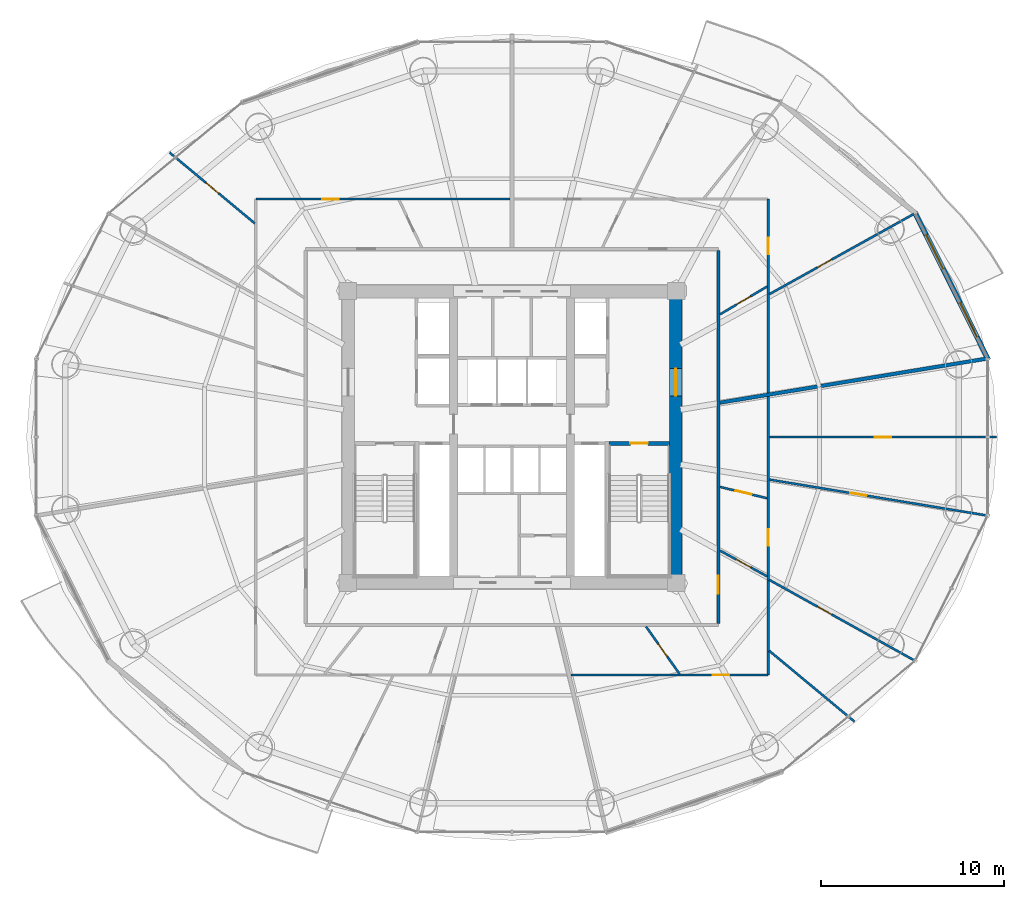
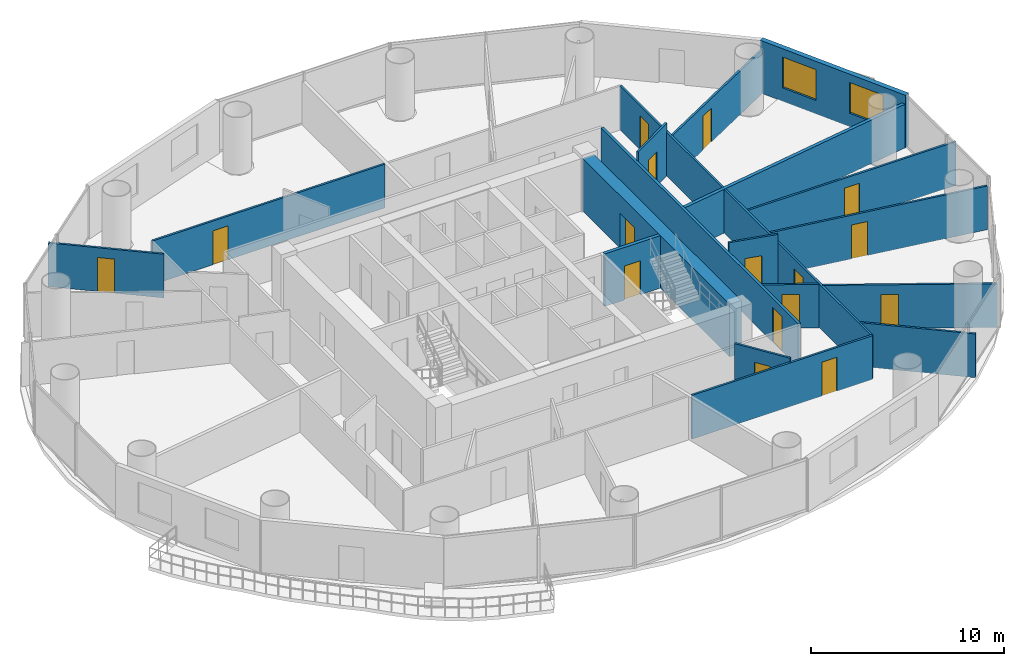
# One storey, part 24 of 29: 19 walls, 16 doors, 2 windows, 18 openings.
"""IFC4 building model written with IfcOpenShell, lengths in metres."""

from ifc_helpers import new_model, si_unit, direction, frame, frame_2d, origin, place, context, subcontext, project, spatial, rectangle, extrude, source, transform, mapped, material, layer, layer_set, type_object, element, fill, save


model = new_model("IFC4")

# Units and contexts
model_context = context("Model", 3, precision=1e-05, world=origin(), true_north=direction((-0.2419218956, 0.970295726276)))
body_context = subcontext(model_context, "Body", "Model", "MODEL_VIEW")
ifc_project = project(units=[si_unit("LENGTHUNIT", "METRE"), si_unit("AREAUNIT", "SQUARE_METRE"), si_unit("VOLUMEUNIT", "CUBIC_METRE"), si_unit("PLANEANGLEUNIT", "RADIAN"), si_unit("MASSUNIT", "GRAM", prefix="KILO")], contexts=[model_context])

# Site, building, storey
site_placement = place(None, origin())
site = spatial("IfcSite", under=ifc_project, at=site_placement, CompositionType="ELEMENT")
building_placement = place(site_placement, origin())
building = spatial("IfcBuilding", under=site, at=building_placement, Name="Cobrevalo Terracotta Tower", CompositionType="ELEMENT")
storey_placement = place(building_placement, frame((0.0, 0.0, 87.0)))
storey = spatial("IfcBuildingStorey", under=building, at=storey_placement, Name="L22", CompositionType="ELEMENT", Elevation=87.0)

# Wall, opening, door
ifc_material_1 = material(Name="Concrete C60", Category="concrete")
ifc_layer_1 = layer(ifc_material_1, 0.699951171875)
ifc_layer_set_1 = layer_set([ifc_layer_1], Name="Concrete C60")
wall_type_1 = type_object("IfcWallType", Name="Core shear wall 700 mm Concrete C60", PredefinedType="SHEAR", material=ifc_layer_set_1)
wall_1_placement = place(storey_placement, frame((46.97509765625, 19.175048828125, 0.0), z_axis=(0.0, 0.0, 1.0), x_axis=(0.0, 1.0, 0.0)))
wall_1 = element("IfcWall", 1, at=wall_1_placement, inside=storey, type_object=wall_type_1, Name="L22 east core shear wall", PredefinedType="SHEAR", context=body_context, shape_type="SweptSolid", body=[
    extrude(rectangle(XDim=15.25, YDim=0.699951171875, at=frame_2d((7.625, 0.0))), origin(), (0.0, 0.0, 1.0), 3.324951171875),
])
opening_1_placement = place(wall_1_placement, frame((9.875, 0.0, 0.0)))
opening_1 = element("IfcOpeningElement", 2, at=opening_1_placement, cuts=wall_1, Name="Opening ID-14", PredefinedType="OPENING", context=body_context, shape_type="SweptSolid", body=[
    extrude(rectangle(XDim=1.5, YDim=2.199951171875, at=frame_2d((0.75, 1.10009765625))), frame((0.0, 0.35986328125, 0.0), z_axis=(0.0, -1.0, 0.0), x_axis=(1.0, 0.0, 0.0)), (0.0, 0.0, 1.0), 0.719970703125),
])
ifc_material_2 = material(Name="Galvanized fire-rated steel", Category="steel")
door_type_1 = type_object("IfcDoorType", Name="Core cross-lobby double fire door 1500x2200 EI 90", OperationType="NOTDEFINED", PredefinedType="DOOR", material=ifc_material_2)
shared_shape_1 = source(origin(), body_context, "Body", "SweptSolid", [
    extrude(rectangle(XDim=1.5, YDim=2.199951171875, at=frame_2d((0.75, 1.10009765625))), frame((0.0, 0.02490234375, 0.0), z_axis=(0.0, -1.0, 0.0), x_axis=(1.0, 0.0, 0.0)), (0.0, 0.0, 1.0), 0.050048828125),
])
door_1_placement = place(opening_1_placement, frame((1.5, 0.0, 0.0), z_axis=(0.0, 0.0, 1.0), x_axis=(-1.0, 0.0, 0.0)))
door_1 = element("IfcDoor", 3, at=door_1_placement, inside=storey, type_object=door_type_1, Name="L22 east firefighting lobby entrance door", OperationType="DOUBLE_DOOR_SINGLE_SWING", OverallHeight=2.199951171875, OverallWidth=1.5, PredefinedType="DOOR", context=body_context, shape_type="MappedRepresentation", body=[
    mapped(shared_shape_1, transform((0.0, 0.0, 0.0), scale=1.0)),
])
fill(opening_1, door_1)

ifc_material_3 = material(Name="Gypsum board on steel stud", Category="steel")
ifc_layer_2 = layer(ifc_material_3, 0.159912109375)
ifc_layer_set_2 = layer_set([ifc_layer_2], Name="Gypsum board on steel stud")
wall_type_2 = type_object("IfcWallType", Name="Fire-rated corridor acoustic partition wall 160 mm", PredefinedType="PARTITIONING", material=ifc_layer_set_2)
wall_2_placement = place(storey_placement, frame((49.304931640625, 16.574951171875, 0.0), z_axis=(0.0, 0.0, 1.0), x_axis=(0.0, 1.0, 0.0)))
wall_2 = element("IfcWall", 4, at=wall_2_placement, inside=storey, type_object=wall_type_2, Name="L22 interior partition IW-L22-COR-E", PredefinedType="PARTITIONING", context=body_context, shape_type="SweptSolid", body=[
    extrude(rectangle(XDim=20.449951171875, YDim=0.159912109375, at=frame_2d((10.22509765625, 0.0))), origin(), (0.0, 0.0, 1.0), 2.76708984375),
])
opening_2_placement = place(wall_2_placement, frame((1.64892578125, 0.0, 0.0)))
opening_2 = element("IfcOpeningElement", 5, at=opening_2_placement, cuts=wall_2, Name="Opening ID-05", PredefinedType="OPENING", context=body_context, shape_type="SweptSolid", body=[
    extrude(rectangle(XDim=0.97998046875, YDim=2.199951171875, at=frame_2d((0.489990234375, 1.10009765625))), frame((0.0, 0.08984375, 0.0), z_axis=(0.0, -1.0, 0.0), x_axis=(1.0, 0.0, 0.0)), (0.0, 0.0, 1.0), 0.179931640625),
])
ifc_material_4 = material(Name="Solid hardwood timber", Category="wood")
door_type_2 = type_object("IfcDoorType", Name="Residence entrance fire-rated acoustic timber door 980x2200 EI 60", OperationType="NOTDEFINED", PredefinedType="DOOR", material=ifc_material_4)
shared_shape_2 = source(origin(), body_context, "Body", "SweptSolid", [
    extrude(rectangle(XDim=0.97998046875, YDim=2.199951171875, at=frame_2d((0.489990234375, 1.10009765625))), frame((0.0, 0.02490234375, 0.0), z_axis=(0.0, -1.0, 0.0), x_axis=(1.0, 0.0, 0.0)), (0.0, 0.0, 1.0), 0.050048828125),
])
door_2_placement = place(opening_2_placement, frame((0.97998046875, 0.0, 0.0), z_axis=(0.0, 0.0, 1.0), x_axis=(-1.0, 0.0, 0.0)))
door_2 = element("IfcDoor", 6, at=door_2_placement, inside=storey, type_object=door_type_2, Name="Flat L22D fire-rated apartment entrance door", OperationType="SINGLE_SWING_RIGHT", OverallHeight=2.199951171875, OverallWidth=0.97998046875, PredefinedType="DOOR", context=body_context, shape_type="MappedRepresentation", body=[
    mapped(shared_shape_2, transform((0.0, 0.0, 0.0), scale=1.0)),
])
fill(opening_2, door_2)

# Wall
ifc_material_5 = material(Name="Autoclaved aerated concrete block", Category="concrete")
ifc_layer_3 = layer(ifc_material_5, 0.199951171875)
ifc_layer_set_3 = layer_set([ifc_layer_3], Name="Autoclaved aerated concrete block")
wall_type_3 = type_object("IfcWallType", Name="Fire-rated stair, shaft & demising masonry wall 200 mm", PredefinedType="PARTITIONING", material=ifc_layer_set_3)
wall_3_placement = place(storey_placement, frame((49.386962890625, 28.681884765625, 0.0), z_axis=(0.0, 0.0, 1.0), x_axis=(0.986617934215, 0.163049231479, 0.0)))
element("IfcWall", 7, at=wall_3_placement, inside=storey, type_object=wall_type_3, Name="L22 interior partition IW-L22-DEM-1", PredefinedType="PARTITIONING", context=body_context, shape_type="SweptSolid", body=[
    extrude(rectangle(XDim=14.78466796875, YDim=0.199951171875, at=frame_2d((7.392333984375, 0.0))), origin(), (0.0, 0.0, 1.0), 2.76708984375),
])

# Wall, openings, windows
ifc_layer_4 = layer(ifc_material_5, 0.280029296875)
ifc_layer_set_4 = layer_set([ifc_layer_4], Name="Autoclaved aerated concrete block")
wall_type_4 = type_object("IfcWallType", Name="Insulated tower spandrel & pier wall 280 mm with terracotta rainscreen", PredefinedType="SOLIDWALL", material=ifc_layer_set_4)
wall_4_placement = place(storey_placement, frame((64.09521484375, 31.033935546875, 0.0), z_axis=(0.0, 0.0, 1.0), x_axis=(-0.446263788661, 0.894901464369, 0.0)))
wall_4 = element("IfcWall", 8, at=wall_4_placement, inside=storey, type_object=wall_type_4, Name="L22 terracotta rainscreen pier wall S01", PredefinedType="SOLIDWALL", context=body_context, shape_type="SweptSolid", body=[
    extrude(rectangle(XDim=9.05029296875, YDim=0.280029296875, at=frame_2d((4.525146484375, 0.0))), origin(), (0.0, 0.0, 1.0), 3.324951171875),
])
opening_3_placement = place(wall_4_placement, frame((1.3935546875, 0.0, 0.85009765625)))
opening_3 = element("IfcOpeningElement", 9, at=opening_3_placement, cuts=wall_4, Name="Opening WN-10", PredefinedType="OPENING", context=body_context, shape_type="SweptSolid", body=[
    extrude(rectangle(XDim=2.10009765625, YDim=1.949951171875, at=frame_2d((1.050048828125, 0.97509765625))), frame((0.0, 0.14990234375, 0.0), z_axis=(0.0, -1.0, 0.0), x_axis=(1.0, 0.0, 0.0)), (0.0, 0.0, 1.0), 0.300048828125),
])
opening_4_placement = place(wall_4_placement, frame((5.556640625, 0.0, 0.85009765625)))
opening_4 = element("IfcOpeningElement", 10, at=opening_4_placement, cuts=wall_4, Name="Opening WN-10", PredefinedType="OPENING", context=body_context, shape_type="SweptSolid", body=[
    extrude(rectangle(XDim=2.10009765625, YDim=1.949951171875, at=frame_2d((1.050048828125, 0.97509765625))), frame((0.0, 0.14990234375, 0.0), z_axis=(0.0, -1.0, 0.0), x_axis=(1.0, 0.0, 0.0)), (0.0, 0.0, 1.0), 0.300048828125),
])
ifc_material_6 = material(Name="Solar-control low-E double glazing", Category="glass")
window_type = type_object("IfcWindowType", Name="Wide panoramic low-E aluminium window 2100x1950", PartitioningType="SINGLE_PANEL", PredefinedType="WINDOW", material=ifc_material_6)
shared_shape_3 = source(origin(), body_context, "Body", "SweptSolid", [
    extrude(rectangle(XDim=2.10009765625, YDim=1.949951171875, at=frame_2d((1.050048828125, 0.97509765625))), frame((0.0, 0.030029296875, 0.0), z_axis=(0.0, -1.0, 0.0), x_axis=(1.0, 0.0, 0.0)), (0.0, 0.0, 1.0), 0.06005859375),
])
window_1_placement = place(opening_3_placement, origin())
window_1 = element("IfcWindow", 11, at=window_1_placement, inside=storey, type_object=window_type, Name="L22 suite window S01A", OverallHeight=1.949951171875, OverallWidth=2.10009765625, PartitioningType="SINGLE_PANEL", PredefinedType="WINDOW", context=body_context, shape_type="MappedRepresentation", body=[
    mapped(shared_shape_3, transform((0.0, 0.0, 0.0), scale=1.0)),
])
fill(opening_3, window_1)
window_2_placement = place(opening_4_placement, origin())
window_2 = element("IfcWindow", 12, at=window_2_placement, inside=storey, type_object=window_type, Name="L22 suite window S01B", OverallHeight=1.949951171875, OverallWidth=2.10009765625, PartitioningType="SINGLE_PANEL", PredefinedType="WINDOW", context=body_context, shape_type="MappedRepresentation", body=[
    mapped(shared_shape_3, transform((0.0, 0.0, 0.0), scale=1.0)),
])
fill(opening_4, window_2)

# Wall, opening, door
ifc_layer_5 = layer(ifc_material_3, 0.1201171875)
ifc_layer_set_5 = layer_set([ifc_layer_5], Name="Gypsum board on steel stud")
wall_type_5 = type_object("IfcWallType", Name="Residential internal acoustic stud partition 120 mm", PredefinedType="PARTITIONING", material=ifc_layer_set_5)
wall_5_placement = place(storey_placement, frame((52.034912109375, 39.8349609375, 0.0), z_axis=(0.0, 0.0, 1.0), x_axis=(0.0, -1.0, 0.0)))
wall_5 = element("IfcWall", 13, at=wall_5_placement, inside=storey, type_object=wall_type_5, Name="L22 interior partition IW-L22-U1-RING1_0", PredefinedType="PARTITIONING", context=body_context, shape_type="SweptSolid", body=[
    extrude(rectangle(XDim=10.613525390625, YDim=0.1201171875, at=frame_2d((5.306640625, 0.0))), origin(), (0.0, 0.0, 1.0), 2.76708984375),
])
opening_5_placement = place(wall_5_placement, frame((2.107421875, 0.0, 0.0)))
opening_5 = element("IfcOpeningElement", 14, at=opening_5_placement, cuts=wall_5, Name="Opening ID-12", PredefinedType="OPENING", context=body_context, shape_type="SweptSolid", body=[
    extrude(rectangle(XDim=0.89990234375, YDim=2.14990234375, at=frame_2d((0.449951171875, 1.074951171875))), frame((0.0, 0.070068359375, 0.0), z_axis=(0.0, -1.0, 0.0), x_axis=(1.0, 0.0, 0.0)), (0.0, 0.0, 1.0), 0.14013671875),
])
ifc_material_7 = material(Name="Engineered timber", Category="wood")
door_type_3 = type_object("IfcDoorType", Name="Internal residence & suite timber door 900x2150", OperationType="NOTDEFINED", PredefinedType="DOOR", material=ifc_material_7)
shared_shape_4 = source(origin(), body_context, "Body", "SweptSolid", [
    extrude(rectangle(XDim=0.89990234375, YDim=2.14990234375, at=frame_2d((0.449951171875, 1.074951171875))), frame((0.0, 0.02490234375, 0.0), z_axis=(0.0, -1.0, 0.0), x_axis=(1.0, 0.0, 0.0)), (0.0, 0.0, 1.0), 0.050048828125),
])
door_3_placement = place(opening_5_placement, origin())
door_3 = element("IfcDoor", 15, at=door_3_placement, inside=storey, type_object=door_type_3, Name="Flat L22A Master Bedroom internal door", OperationType="SINGLE_SWING_RIGHT", OverallHeight=2.14990234375, OverallWidth=0.89990234375, PredefinedType="DOOR", context=body_context, shape_type="MappedRepresentation", body=[
    mapped(shared_shape_4, transform((0.0, 0.0, 0.0), scale=1.0)),
])
fill(opening_5, door_3)

wall_6_placement = place(storey_placement, frame((52.089111328125, 34.62158203125, 0.0), z_axis=(0.0, 0.0, 1.0), x_axis=(0.874324904351, 0.485341077626, 0.0)))
wall_6 = element("IfcWall", 16, at=wall_6_placement, inside=storey, type_object=wall_type_5, Name="L22 interior partition IW-L22-U1-ORAD1", PredefinedType="PARTITIONING", context=body_context, shape_type="SweptSolid", body=[
    extrude(rectangle(XDim=9.065673828125, YDim=0.1201171875, at=frame_2d((4.53271484375, 0.0))), origin(), (0.0, 0.0, 1.0), 2.76708984375),
])
opening_6_placement = place(wall_6_placement, frame((3.015625, 0.0, 0.0)))
opening_6 = element("IfcOpeningElement", 17, at=opening_6_placement, cuts=wall_6, Name="Opening ID-12", PredefinedType="OPENING", context=body_context, shape_type="SweptSolid", body=[
    extrude(rectangle(XDim=0.89990234375, YDim=2.14990234375, at=frame_2d((0.449951171875, 1.074951171875))), frame((0.0, 0.070068359375, 0.0), z_axis=(0.0, -1.0, 0.0), x_axis=(1.0, 0.0, 0.0)), (0.0, 0.0, 1.0), 0.14013671875),
])
door_4_placement = place(opening_6_placement, frame((0.89990234375, 0.0, 0.0), z_axis=(0.0, 0.0, 1.0), x_axis=(-1.0, 0.0, 0.0)))
door_4 = element("IfcDoor", 18, at=door_4_placement, inside=storey, type_object=door_type_3, Name="Flat L22A Living and Dining Room internal door", OperationType="SINGLE_SWING_RIGHT", OverallHeight=2.14990234375, OverallWidth=0.89990234375, PredefinedType="DOOR", context=body_context, shape_type="MappedRepresentation", body=[
    mapped(shared_shape_4, transform((0.0, 0.0, 0.0), scale=1.0)),
])
fill(opening_6, door_4)

wall_7_placement = place(storey_placement, frame((49.38671875, 33.516845703125, 0.0), z_axis=(0.0, 0.0, 1.0), x_axis=(0.861344081849, 0.508022019862, 0.0)))
wall_7 = element("IfcWall", 19, at=wall_7_placement, inside=storey, type_object=wall_type_5, Name="L22 interior partition IW-L22-U1-IRAD1", PredefinedType="PARTITIONING", context=body_context, shape_type="SweptSolid", body=[
    extrude(rectangle(XDim=3.0126953125, YDim=0.1201171875, at=frame_2d((1.50634765625, 0.0))), origin(), (0.0, 0.0, 1.0), 3.324951171875),
])
opening_7_placement = place(wall_7_placement, frame((1.076416015625, 0.0, 0.0)))
opening_7 = element("IfcOpeningElement", 20, at=opening_7_placement, cuts=wall_7, Name="Opening ID-19", PredefinedType="OPENING", context=body_context, shape_type="SweptSolid", body=[
    extrude(rectangle(XDim=0.860107421875, YDim=2.14990234375, at=frame_2d((0.43017578125, 1.074951171875))), frame((0.0, 0.070068359375, 0.0), z_axis=(0.0, -1.0, 0.0), x_axis=(1.0, 0.0, 0.0)), (0.0, 0.0, 1.0), 0.14013671875),
])
ifc_material_8 = material(Name="Moisture-sealed timber", Category="wood")
door_type_4 = type_object("IfcDoorType", Name="Suite bathroom internal timber door 860x2150", OperationType="NOTDEFINED", PredefinedType="DOOR", material=ifc_material_8)
shared_shape_5 = source(origin(), body_context, "Body", "SweptSolid", [
    extrude(rectangle(XDim=0.860107421875, YDim=2.14990234375, at=frame_2d((0.43017578125, 1.074951171875))), frame((0.0, 0.02490234375, 0.0), z_axis=(0.0, -1.0, 0.0), x_axis=(1.0, 0.0, 0.0)), (0.0, 0.0, 1.0), 0.050048828125),
])
door_5_placement = place(opening_7_placement, frame((0.860107421875, 0.0, 0.0), z_axis=(0.0, 0.0, 1.0), x_axis=(-1.0, 0.0, 0.0)))
door_5 = element("IfcDoor", 21, at=door_5_placement, inside=storey, type_object=door_type_4, Name="Flat L22A Primary Bathroom internal door", OperationType="SINGLE_SWING_LEFT", OverallHeight=2.14990234375, OverallWidth=0.860107421875, PredefinedType="DOOR", context=body_context, shape_type="MappedRepresentation", body=[
    mapped(shared_shape_5, transform((0.0, 0.0, 0.0), scale=1.0)),
])
fill(opening_7, door_5)

wall_8_placement = place(storey_placement, frame((23.965087890625, 39.8349609375, 0.0), z_axis=(0.0, 0.0, 1.0), x_axis=(1.0, 0.0, 0.0)))
wall_8 = element("IfcWall", 22, at=wall_8_placement, inside=storey, type_object=wall_type_5, Name="L22 interior partition IW-L22-U2-RING1_0", PredefinedType="PARTITIONING", context=body_context, shape_type="SweptSolid", body=[
    extrude(rectangle(XDim=13.932861328125, YDim=0.1201171875, at=frame_2d((6.96630859375, 0.0))), origin(), (0.0, 0.0, 1.0), 2.76708984375),
])
opening_8_placement = place(wall_8_placement, frame((3.635986328125, 0.0, 0.0)))
opening_8 = element("IfcOpeningElement", 23, at=opening_8_placement, cuts=wall_8, Name="Opening ID-12", PredefinedType="OPENING", context=body_context, shape_type="SweptSolid", body=[
    extrude(rectangle(XDim=0.89990234375, YDim=2.14990234375, at=frame_2d((0.449951171875, 1.074951171875))), frame((0.0, 0.070068359375, 0.0), z_axis=(0.0, -1.0, 0.0), x_axis=(1.0, 0.0, 0.0)), (0.0, 0.0, 1.0), 0.14013671875),
])
door_6_placement = place(opening_8_placement, origin())
door_6 = element("IfcDoor", 24, at=door_6_placement, inside=storey, type_object=door_type_3, Name="Flat L22B Penthouse Living and Dining Room internal door", OperationType="SINGLE_SWING_LEFT", OverallHeight=2.14990234375, OverallWidth=0.89990234375, PredefinedType="DOOR", context=body_context, shape_type="MappedRepresentation", body=[
    mapped(shared_shape_4, transform((0.0, 0.0, 0.0), scale=1.0)),
])
fill(opening_8, door_6)

wall_9_placement = place(storey_placement, frame((23.917236328125, 38.500244140625, 0.0), z_axis=(0.0, 0.0, 1.0), x_axis=(-0.769161827891, 0.63905405289, 0.0)))
wall_9 = element("IfcWall", 25, at=wall_9_placement, inside=storey, type_object=wall_type_5, Name="L22 interior partition IW-L22-U2-ORAD1", PredefinedType="PARTITIONING", context=body_context, shape_type="SweptSolid", body=[
    extrude(rectangle(XDim=6.07958984375, YDim=0.1201171875, at=frame_2d((3.039794921875, 0.0))), origin(), (0.0, 0.0, 1.0), 2.76708984375),
])
opening_9_placement = place(wall_9_placement, frame((2.58984375, 0.0, 0.0)))
opening_9 = element("IfcOpeningElement", 26, at=opening_9_placement, cuts=wall_9, Name="Opening ID-12", PredefinedType="OPENING", context=body_context, shape_type="SweptSolid", body=[
    extrude(rectangle(XDim=0.89990234375, YDim=2.14990234375, at=frame_2d((0.449951171875, 1.074951171875))), frame((0.0, 0.070068359375, 0.0), z_axis=(0.0, -1.0, 0.0), x_axis=(1.0, 0.0, 0.0)), (0.0, 0.0, 1.0), 0.14013671875),
])
door_7_placement = place(opening_9_placement, origin())
door_7 = element("IfcDoor", 27, at=door_7_placement, inside=storey, type_object=door_type_3, Name="Flat L22B Master Bedroom internal door", OperationType="SINGLE_SWING_RIGHT", OverallHeight=2.14990234375, OverallWidth=0.89990234375, PredefinedType="DOOR", context=body_context, shape_type="MappedRepresentation", body=[
    mapped(shared_shape_4, transform((0.0, 0.0, 0.0), scale=1.0)),
])
fill(opening_9, door_7)

wall_10_placement = place(storey_placement, frame((52.034912109375, 29.017333984375, 0.0), z_axis=(0.0, 0.0, 1.0), x_axis=(0.0, -1.0, 0.0)))
wall_10 = element("IfcWall", 28, at=wall_10_placement, inside=storey, type_object=wall_type_5, Name="L22 interior partition IW-L22-U4-RING0_0", PredefinedType="PARTITIONING", context=body_context, shape_type="SweptSolid", body=[
    extrude(rectangle(XDim=15.25244140625, YDim=0.1201171875, at=frame_2d((7.626220703125, 0.0))), origin(), (0.0, 0.0, 1.0), 2.76708984375),
])
opening_10_placement = place(wall_10_placement, frame((7.2783203125, 0.0, 0.0)))
opening_10 = element("IfcOpeningElement", 29, at=opening_10_placement, cuts=wall_10, Name="Opening ID-12", PredefinedType="OPENING", context=body_context, shape_type="SweptSolid", body=[
    extrude(rectangle(XDim=0.89990234375, YDim=2.14990234375, at=frame_2d((0.449951171875, 1.074951171875))), frame((0.0, 0.070068359375, 0.0), z_axis=(0.0, -1.0, 0.0), x_axis=(1.0, 0.0, 0.0)), (0.0, 0.0, 1.0), 0.14013671875),
])
door_8_placement = place(opening_10_placement, origin())
door_8 = element("IfcDoor", 30, at=door_8_placement, inside=storey, type_object=door_type_3, Name="Flat L22D Penthouse Family Lounge internal door", OperationType="SINGLE_SWING_RIGHT", OverallHeight=2.14990234375, OverallWidth=0.89990234375, PredefinedType="DOOR", context=body_context, shape_type="MappedRepresentation", body=[
    mapped(shared_shape_4, transform((0.0, 0.0, 0.0), scale=1.0)),
])
fill(opening_10, door_8)

wall_11_placement = place(storey_placement, frame((52.034912109375, 13.764892578125, 0.0), z_axis=(0.0, 0.0, 1.0), x_axis=(-1.0, 0.0, 0.0)))
wall_11 = element("IfcWall", 31, at=wall_11_placement, inside=storey, type_object=wall_type_5, Name="L22 interior partition IW-L22-U4-RING1_0", PredefinedType="PARTITIONING", context=body_context, shape_type="SweptSolid", body=[
    extrude(rectangle(XDim=10.812255859375, YDim=0.1201171875, at=frame_2d((5.40625, 0.0))), origin(), (0.0, 0.0, 1.0), 2.76708984375),
])
opening_11_placement = place(wall_11_placement, frame((2.14453125, 0.0, 0.0)))
opening_11 = element("IfcOpeningElement", 32, at=opening_11_placement, cuts=wall_11, Name="Opening ID-12", PredefinedType="OPENING", context=body_context, shape_type="SweptSolid", body=[
    extrude(rectangle(XDim=0.89990234375, YDim=2.14990234375, at=frame_2d((0.449951171875, 1.074951171875))), frame((0.0, 0.070068359375, 0.0), z_axis=(0.0, -1.0, 0.0), x_axis=(1.0, 0.0, 0.0)), (0.0, 0.0, 1.0), 0.14013671875),
])
door_9_placement = place(opening_11_placement, origin())
door_9 = element("IfcDoor", 33, at=door_9_placement, inside=storey, type_object=door_type_3, Name="Flat L22D Penthouse Living and Dining Room internal door", OperationType="SINGLE_SWING_RIGHT", OverallHeight=2.14990234375, OverallWidth=0.89990234375, PredefinedType="DOOR", context=body_context, shape_type="MappedRepresentation", body=[
    mapped(shared_shape_4, transform((0.0, 0.0, 0.0), scale=1.0)),
])
fill(opening_11, door_9)

# Wall
wall_12_placement = place(storey_placement, frame((52.082763671875, 15.099609375, 0.0), z_axis=(0.0, 0.0, 1.0), x_axis=(0.769161827891, -0.63905405289, 0.0)))
element("IfcWall", 34, at=wall_12_placement, inside=storey, type_object=wall_type_5, Name="L22 interior partition IW-L22-U4-ORAD1", PredefinedType="PARTITIONING", context=body_context, shape_type="SweptSolid", body=[
    extrude(rectangle(XDim=6.07958984375, YDim=0.1201171875, at=frame_2d((3.039794921875, 0.0))), origin(), (0.0, 0.0, 1.0), 2.76708984375),
])

# Wall, opening, door
wall_13_placement = place(storey_placement, frame((52.089111328125, 18.978515625, 0.0), z_axis=(0.0, 0.0, 1.0), x_axis=(0.874313476423, -0.485361664066, 0.0)))
wall_13 = element("IfcWall", 35, at=wall_13_placement, inside=storey, type_object=wall_type_5, Name="L22 interior partition IW-L22-U4-ORAD2M1", PredefinedType="PARTITIONING", context=body_context, shape_type="SweptSolid", body=[
    extrude(rectangle(XDim=9.065673828125, YDim=0.1201171875, at=frame_2d((4.53271484375, 0.0))), origin(), (0.0, 0.0, 1.0), 2.76708984375),
])
opening_12_placement = place(wall_13_placement, frame((3.02001953125, 0.0, 0.0)))
opening_12 = element("IfcOpeningElement", 36, at=opening_12_placement, cuts=wall_13, Name="Opening ID-12", PredefinedType="OPENING", context=body_context, shape_type="SweptSolid", body=[
    extrude(rectangle(XDim=0.89990234375, YDim=2.14990234375, at=frame_2d((0.449951171875, 1.074951171875))), frame((0.0, 0.070068359375, 0.0), z_axis=(0.0, -1.0, 0.0), x_axis=(1.0, 0.0, 0.0)), (0.0, 0.0, 1.0), 0.14013671875),
])
door_10_placement = place(opening_12_placement, frame((0.89990234375, 0.0, 0.0), z_axis=(0.0, 0.0, 1.0), x_axis=(-1.0, 0.0, 0.0)))
door_10 = element("IfcDoor", 37, at=door_10_placement, inside=storey, type_object=door_type_3, Name="Flat L22D Master Bedroom internal door", OperationType="SINGLE_SWING_RIGHT", OverallHeight=2.14990234375, OverallWidth=0.89990234375, PredefinedType="DOOR", context=body_context, shape_type="MappedRepresentation", body=[
    mapped(shared_shape_4, transform((0.0, 0.0, 0.0), scale=1.0)),
])
fill(opening_12, door_10)

wall_14_placement = place(storey_placement, frame((52.09619140625, 24.470458984375, 0.0), z_axis=(0.0, 0.0, 1.0), x_axis=(0.986618264768, -0.163047231274, 0.0)))
wall_14 = element("IfcWall", 38, at=wall_14_placement, inside=storey, type_object=wall_type_5, Name="L22 interior partition IW-L22-U4-ORAD2", PredefinedType="PARTITIONING", context=body_context, shape_type="SweptSolid", body=[
    extrude(rectangle(XDim=12.038818359375, YDim=0.1201171875, at=frame_2d((6.01953125, 0.0))), origin(), (0.0, 0.0, 1.0), 2.76708984375),
])
opening_13_placement = place(wall_14_placement, frame((4.495849609375, 0.0, 0.0)))
opening_13 = element("IfcOpeningElement", 39, at=opening_13_placement, cuts=wall_14, Name="Opening ID-12", PredefinedType="OPENING", context=body_context, shape_type="SweptSolid", body=[
    extrude(rectangle(XDim=0.89990234375, YDim=2.14990234375, at=frame_2d((0.449951171875, 1.074951171875))), frame((0.0, 0.070068359375, 0.0), z_axis=(0.0, -1.0, 0.0), x_axis=(1.0, 0.0, 0.0)), (0.0, 0.0, 1.0), 0.14013671875),
])
door_11_placement = place(opening_13_placement, origin())
door_11 = element("IfcDoor", 40, at=door_11_placement, inside=storey, type_object=door_type_3, Name="Flat L22D Principal Guest Bedroom internal door", OperationType="SINGLE_SWING_LEFT", OverallHeight=2.14990234375, OverallWidth=0.89990234375, PredefinedType="DOOR", context=body_context, shape_type="MappedRepresentation", body=[
    mapped(shared_shape_4, transform((0.0, 0.0, 0.0), scale=1.0)),
])
fill(opening_13, door_11)

wall_15_placement = place(storey_placement, frame((52.096923828125, 26.800048828125, 0.0), z_axis=(0.0, 0.0, 1.0), x_axis=(1.0, 0.0, 0.0)))
wall_15 = element("IfcWall", 41, at=wall_15_placement, inside=storey, type_object=wall_type_5, Name="L22 interior partition IW-L22-U4-ORAD3M1", PredefinedType="PARTITIONING", context=body_context, shape_type="SweptSolid", body=[
    extrude(rectangle(XDim=12.443115234375, YDim=0.1201171875, at=frame_2d((6.2216796875, 0.0))), origin(), (0.0, 0.0, 1.0), 2.76708984375),
])
opening_14_placement = place(wall_15_placement, frame((5.771484375, 0.0, 0.0)))
opening_14 = element("IfcOpeningElement", 42, at=opening_14_placement, cuts=wall_15, Name="Opening ID-12", PredefinedType="OPENING", context=body_context, shape_type="SweptSolid", body=[
    extrude(rectangle(XDim=0.89990234375, YDim=2.14990234375, at=frame_2d((0.449951171875, 1.074951171875))), frame((0.0, 0.070068359375, 0.0), z_axis=(0.0, -1.0, 0.0), x_axis=(1.0, 0.0, 0.0)), (0.0, 0.0, 1.0), 0.14013671875),
])
door_12_placement = place(opening_14_placement, origin())
door_12 = element("IfcDoor", 43, at=door_12_placement, inside=storey, type_object=door_type_3, Name="Flat L22D Penthouse Family Lounge internal door", OperationType="SINGLE_SWING_RIGHT", OverallHeight=2.14990234375, OverallWidth=0.89990234375, PredefinedType="DOOR", context=body_context, shape_type="MappedRepresentation", body=[
    mapped(shared_shape_4, transform((0.0, 0.0, 0.0), scale=1.0)),
])
fill(opening_14, door_12)

wall_16_placement = place(storey_placement, frame((45.345458984375, 16.4150390625, 0.0), z_axis=(0.0, 0.0, 1.0), x_axis=(0.577474693199, -0.816408585645, 0.0)))
wall_16 = element("IfcWall", 44, at=wall_16_placement, inside=storey, type_object=wall_type_5, Name="L22 interior partition IW-L22-U4-IRAD1", PredefinedType="PARTITIONING", context=body_context, shape_type="SweptSolid", body=[
    extrude(rectangle(XDim=3.183837890625, YDim=0.1201171875, at=frame_2d((1.591796875, 0.0))), origin(), (0.0, 0.0, 1.0), 3.00390625),
])
opening_15_placement = place(wall_16_placement, frame((1.162109375, 0.0, 0.0)))
opening_15 = element("IfcOpeningElement", 45, at=opening_15_placement, cuts=wall_16, Name="Opening ID-19", PredefinedType="OPENING", context=body_context, shape_type="SweptSolid", body=[
    extrude(rectangle(XDim=0.860107421875, YDim=2.14990234375, at=frame_2d((0.43017578125, 1.074951171875))), frame((0.0, 0.070068359375, 0.0), z_axis=(0.0, -1.0, 0.0), x_axis=(1.0, 0.0, 0.0)), (0.0, 0.0, 1.0), 0.14013671875),
])
door_13_placement = place(opening_15_placement, frame((0.860107421875, 0.0, 0.0), z_axis=(0.0, 0.0, 1.0), x_axis=(-1.0, 0.0, 0.0)))
door_13 = element("IfcDoor", 46, at=door_13_placement, inside=storey, type_object=door_type_4, Name="Flat L22D Primary Bathroom internal door", OperationType="SINGLE_SWING_LEFT", OverallHeight=2.14990234375, OverallWidth=0.860107421875, PredefinedType="DOOR", context=body_context, shape_type="MappedRepresentation", body=[
    mapped(shared_shape_5, transform((0.0, 0.0, 0.0), scale=1.0)),
])
fill(opening_15, door_13)

wall_17_placement = place(storey_placement, frame((49.38671875, 20.58349609375, 0.0), z_axis=(0.0, 0.0, 1.0), x_axis=(0.877718703033, -0.479176249773, 0.0)))
wall_17 = element("IfcWall", 47, at=wall_17_placement, inside=storey, type_object=wall_type_5, Name="L22 interior partition IW-L22-U4-IRAD2", PredefinedType="PARTITIONING", context=body_context, shape_type="SweptSolid", body=[
    extrude(rectangle(XDim=2.955078125, YDim=0.1201171875, at=frame_2d((1.4775390625, 0.0))), origin(), (0.0, 0.0, 1.0), 2.76708984375),
])
opening_16_placement = place(wall_17_placement, frame((1.027587890625, 0.0, 0.0)))
opening_16 = element("IfcOpeningElement", 48, at=opening_16_placement, cuts=wall_17, Name="Opening ID-12", PredefinedType="OPENING", context=body_context, shape_type="SweptSolid", body=[
    extrude(rectangle(XDim=0.89990234375, YDim=2.14990234375, at=frame_2d((0.449951171875, 1.074951171875))), frame((0.0, 0.070068359375, 0.0), z_axis=(0.0, -1.0, 0.0), x_axis=(1.0, 0.0, 0.0)), (0.0, 0.0, 1.0), 0.14013671875),
])
door_14_placement = place(opening_16_placement, origin())
door_14 = element("IfcDoor", 49, at=door_14_placement, inside=storey, type_object=door_type_3, Name="Flat L22D Kitchen internal door", OperationType="SINGLE_SWING_LEFT", OverallHeight=2.14990234375, OverallWidth=0.89990234375, PredefinedType="DOOR", context=body_context, shape_type="MappedRepresentation", body=[
    mapped(shared_shape_4, transform((0.0, 0.0, 0.0), scale=1.0)),
])
fill(opening_16, door_14)

wall_18_placement = place(storey_placement, frame((49.386962890625, 24.06884765625, 0.0), z_axis=(0.0, 0.0, 1.0), x_axis=(0.972423933179, -0.233220269661, 0.0)))
wall_18 = element("IfcWall", 50, at=wall_18_placement, inside=storey, type_object=wall_type_5, Name="L22 interior partition IW-L22-U4-IRAD3", PredefinedType="PARTITIONING", context=body_context, shape_type="SweptSolid", body=[
    extrude(rectangle(XDim=2.6611328125, YDim=0.1201171875, at=frame_2d((1.33056640625, 0.0))), origin(), (0.0, 0.0, 1.0), 3.324951171875),
])
opening_17_placement = place(wall_18_placement, frame((0.880615234375, 0.0, 0.0)))
opening_17 = element("IfcOpeningElement", 51, at=opening_17_placement, cuts=wall_18, Name="Opening ID-12", PredefinedType="OPENING", context=body_context, shape_type="SweptSolid", body=[
    extrude(rectangle(XDim=0.89990234375, YDim=2.14990234375, at=frame_2d((0.449951171875, 1.074951171875))), frame((0.0, 0.070068359375, 0.0), z_axis=(0.0, -1.0, 0.0), x_axis=(1.0, 0.0, 0.0)), (0.0, 0.0, 1.0), 0.14013671875),
])
door_15_placement = place(opening_17_placement, origin())
door_15 = element("IfcDoor", 52, at=door_15_placement, inside=storey, type_object=door_type_3, Name="Flat L22D Private Wellness Room internal door", OperationType="SINGLE_SWING_LEFT", OverallHeight=2.14990234375, OverallWidth=0.89990234375, PredefinedType="DOOR", context=body_context, shape_type="MappedRepresentation", body=[
    mapped(shared_shape_4, transform((0.0, 0.0, 0.0), scale=1.0)),
])
fill(opening_17, door_15)

ifc_material_9 = material(Name="Concrete C50", Category="concrete")
ifc_layer_6 = layer(ifc_material_9, 0.199951171875)
ifc_layer_set_6 = layer_set([ifc_layer_6], Name="Concrete C50")
wall_type_6 = type_object("IfcWallType", Name="Structural core & podium stair-shaft RC wall 200 mm Concrete C50", PredefinedType="SOLIDWALL", material=ifc_layer_set_6)
wall_19_placement = place(storey_placement, frame((43.304931640625, 26.449951171875, 0.0), z_axis=(0.0, 0.0, 1.0), x_axis=(1.0, 0.0, 0.0)))
wall_19 = element("IfcWall", 53, at=wall_19_placement, inside=storey, type_object=wall_type_6, Name="L22 ST-2 north structural shaft wall", PredefinedType="SOLIDWALL", context=body_context, shape_type="SweptSolid", body=[
    extrude(rectangle(XDim=3.320068359375, YDim=0.199951171875, at=frame_2d((1.66015625, 0.0))), origin(), (0.0, 0.0, 1.0), 3.324951171875),
])
opening_18_placement = place(wall_19_placement, frame((1.18505859375, 0.0, 0.0)))
opening_18 = element("IfcOpeningElement", 54, at=opening_18_placement, cuts=wall_19, Name="Opening ID-04", PredefinedType="OPENING", context=body_context, shape_type="SweptSolid", body=[
    extrude(rectangle(XDim=0.949951171875, YDim=2.14990234375, at=frame_2d((0.47509765625, 1.074951171875))), frame((0.0, 0.10986328125, 0.0), z_axis=(0.0, -1.0, 0.0), x_axis=(1.0, 0.0, 0.0)), (0.0, 0.0, 1.0), 0.219970703125),
])
door_type_5 = type_object("IfcDoorType", Name="Stair & firefighting lobby fire door 950x2150 EI 90", OperationType="NOTDEFINED", PredefinedType="DOOR", material=ifc_material_2)
shared_shape_6 = source(origin(), body_context, "Body", "SweptSolid", [
    extrude(rectangle(XDim=0.949951171875, YDim=2.14990234375, at=frame_2d((0.47509765625, 1.074951171875))), frame((0.0, 0.02490234375, 0.0), z_axis=(0.0, -1.0, 0.0), x_axis=(1.0, 0.0, 0.0)), (0.0, 0.0, 1.0), 0.050048828125),
])
door_16_placement = place(opening_18_placement, frame((0.949951171875, 0.0, 0.0), z_axis=(0.0, 0.0, 1.0), x_axis=(-1.0, 0.0, 0.0)))
door_16 = element("IfcDoor", 55, at=door_16_placement, inside=storey, type_object=door_type_5, Name="L22 protected stair ST2 fire door", OperationType="SINGLE_SWING_RIGHT", OverallHeight=2.14990234375, OverallWidth=0.949951171875, PredefinedType="DOOR", context=body_context, shape_type="MappedRepresentation", body=[
    mapped(shared_shape_6, transform((0.0, 0.0, 0.0), scale=1.0)),
])
fill(opening_18, door_16)

save(model, "model.ifc")
